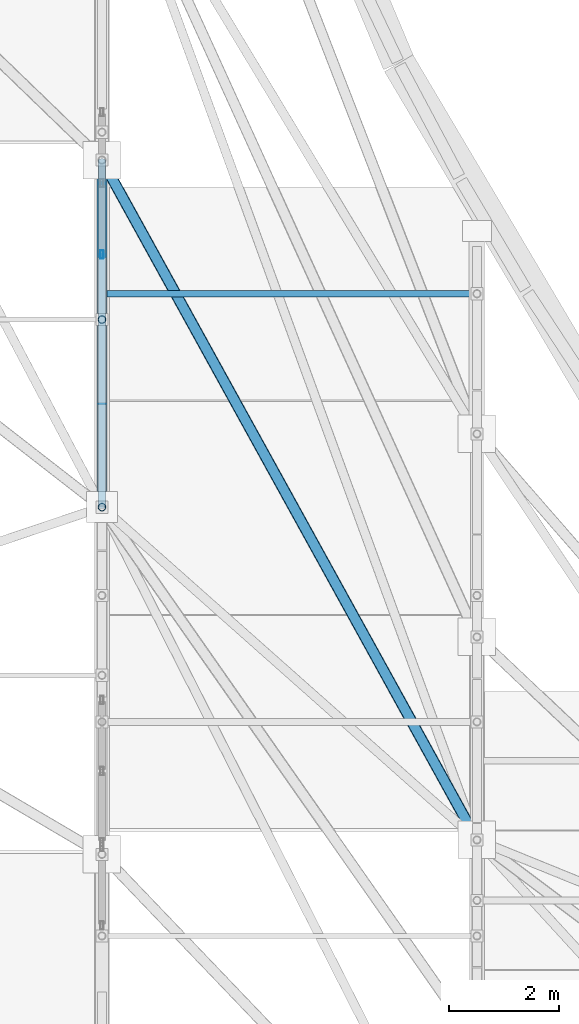
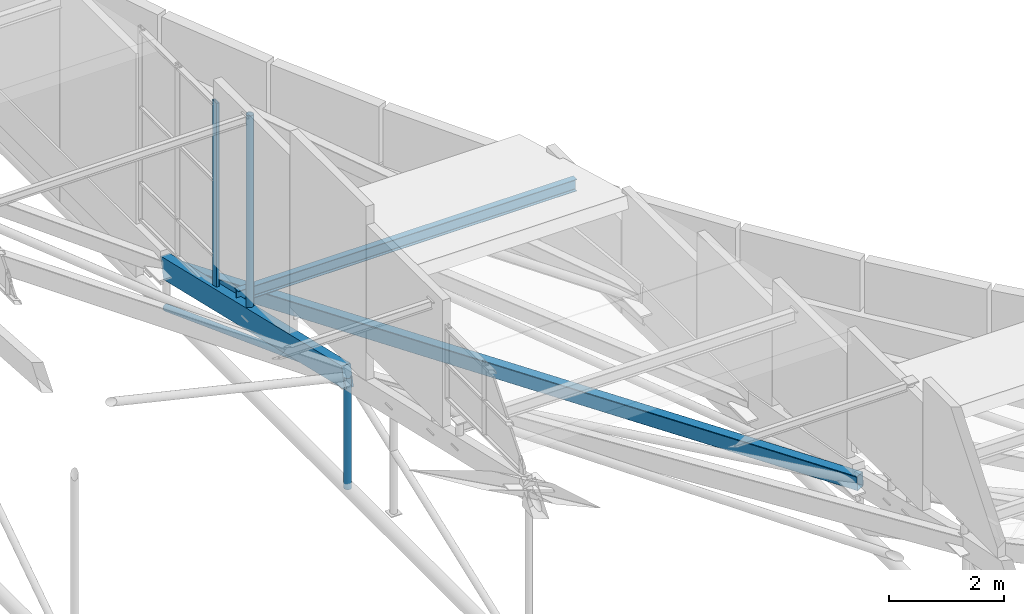
# One storey, part 27 of 188: 7 members, 1 element without a shape of its own.
"""IFC4 building model written with IfcOpenShell, lengths in metres."""

from ifc_helpers import new_model, si_unit, direction, frame, origin, origin_2d, place, context, subcontext, project, spatial, rectangle, hollow_rectangle, hollow_circle, i_section, extrude, material, layer, layer_set, material_profile, profile_set, type_object, element, aggregate, save


model = new_model("IFC4")

# Units and contexts
model_context = context("Model", 3, precision=1e-05, world=origin(), true_north=direction((0.0, 1.0)))
body_context = subcontext(model_context, "Body", "Model", "MODEL_VIEW")
ifc_project = project(units=[si_unit("LENGTHUNIT", "METRE"), si_unit("AREAUNIT", "SQUARE_METRE"), si_unit("VOLUMEUNIT", "CUBIC_METRE"), si_unit("PLANEANGLEUNIT", "RADIAN"), si_unit("MASSUNIT", "GRAM", prefix="KILO")], contexts=[model_context])

# Site, building, storey
site_placement = place(None, origin())
site = spatial("IfcSite", under=ifc_project, at=site_placement, CompositionType="ELEMENT")
building_placement = place(site_placement, origin())
building = spatial("IfcBuilding", under=site, at=building_placement, Name="Kisaragi Civic Commons", CompositionType="ELEMENT")
storey_placement = place(building_placement, frame((0.0, 0.0, 9.60009765625)))
storey = spatial("IfcBuildingStorey", under=building, at=storey_placement, Name="L02", CompositionType="ELEMENT", Elevation=9.60009765625)

# Curtain wall, member
ifc_material_1 = material(Name="Thermally broken anodized aluminium and low-E double glazing", Category="aluminium")
ifc_layer = layer(ifc_material_1, 0.14990234375, Name="Thermally broken anodized aluminium and low-E double glazing", Category="aluminium")
ifc_layer_set = layer_set([ifc_layer], Name="Thermally broken anodized aluminium and low-E double glazing")
curtain_wall_type = type_object("IfcCurtainWallType", Name="CW-03", PredefinedType="NOTDEFINED", material=ifc_layer_set)
curtain_wall_placement = place(storey_placement, origin())
curtain_wall = element("IfcCurtainWall", 1, at=curtain_wall_placement, inside=storey, type_object=curtain_wall_type, Name="L02 curtain wall CW-03 CW-CL-V1-169", PredefinedType="NOTDEFINED")
ifc_material_profile_1 = material_profile(ifc_material_1, hollow_rectangle(XDim=0.06005859375, YDim=0.14990234375, WallThickness=0.00390625, InnerFilletRadius=0.00390625, OuterFilletRadius=0.008056640625, at=origin_2d()), Name="CWM-60x150x4", Category="aluminium")
ifc_profile_set_1 = profile_set([ifc_material_profile_1], Name="Thermally broken anodized aluminium and low-E double glazing")
member_type_1 = type_object("IfcMemberType", Name="CWM-01", PredefinedType="MULLION", material=ifc_profile_set_1)
member_1_placement = place(storey_placement, frame((27.199951171875, 31.3828125, 0.84326171875), z_axis=(0.0, 0.0, 1.0), x_axis=(-1.0, 0.0, 0.0)))
member_1 = element("IfcMember", 2, at=member_1_placement, type_object=member_type_1, Name="CW-03 mullion 1", PredefinedType="MULLION", context=body_context, shape_type="SweptSolid", body=[
    extrude(hollow_rectangle(XDim=0.06005859375, YDim=0.14990234375, WallThickness=0.00390625, InnerFilletRadius=0.00390625, OuterFilletRadius=0.008056640625, at=origin_2d()), origin(), (0.0, 0.0, 1.0), 4.11865234375),
])
aggregate(curtain_wall, [member_1])

# Members
ifc_material_2 = material(Name="Steel SN490 (SN490B)", Category="steel")
ifc_material_profile_2 = material_profile(ifc_material_2, hollow_rectangle(XDim=0.199951171875, YDim=0.300048828125, WallThickness=0.009033203125, InnerFilletRadius=0.009033203125, OuterFilletRadius=0.01806640625, at=origin_2d()), Name="STKR-300x200x9", Category="steel")
ifc_profile_set_2 = profile_set([ifc_material_profile_2], Name="Steel SN490 (SN490B)")
member_type_2 = type_object("IfcMemberType", Name="GC-02", PredefinedType="CHORD", material=ifc_profile_set_2)
member_2_placement = place(storey_placement, frame((27.199951171875, 33.09521484375, 0.415771484375), z_axis=(0.482621042743, -0.875000804812, 0.03808570179), x_axis=(0.875636099408, 0.482971449895, 0.0)))
element("IfcMember", 3, at=member_2_placement, inside=storey, type_object=member_type_2, Name="V1 wave gridshell chord GC-02 33", PredefinedType="CHORD", context=body_context, shape_type="SweptSolid", body=[
    extrude(hollow_rectangle(XDim=0.199951171875, YDim=0.300048828125, WallThickness=0.009033203125, InnerFilletRadius=0.009033203125, OuterFilletRadius=0.01806640625, at=origin_2d()), origin(), (0.0, 0.0, 1.0), 14.08984375),
])
ifc_material_3 = material(Name="Glulam E120-F330", Category="wood")
ifc_material_profile_3 = material_profile(ifc_material_3, rectangle(XDim=0.179931640625, YDim=0.449951171875, at=origin_2d()), Name="GL-180x450", Category="wood")
ifc_profile_set_3 = profile_set([ifc_material_profile_3], Name="Glulam E120-F330")
member_type_3 = type_object("IfcMemberType", Name="GR-05", PredefinedType="RAFTER", material=ifc_profile_set_3)
member_3_placement = place(storey_placement, frame((27.199951171875, 26.800537109375, 1.898193359375), z_axis=(0.0, 0.973371598578, -0.229232918844), x_axis=(-1.0, 0.0, 0.0)))
element("IfcMember", 4, at=member_3_placement, inside=storey, type_object=member_type_3, Name="V1 glulam arch rib GR-05 37", PredefinedType="RAFTER", context=body_context, shape_type="SweptSolid", body=[
    extrude(rectangle(XDim=0.179931640625, YDim=0.449951171875, at=origin_2d()), origin(), (0.0, 0.0, 1.0), 6.466796875),
])
ifc_material_4 = material(Name="Steel SN400 (SN400B)", Category="steel")
ifc_material_profile_4 = material_profile(ifc_material_4, i_section(OverallWidth=0.125, OverallDepth=0.25, WebThickness=0.006103515625, FlangeThickness=0.009033203125, FilletRadius=0.008056640625, at=origin_2d()), Name="H-250x125x6x9", Category="steel")
ifc_profile_set_4 = profile_set([ifc_material_profile_4], Name="Steel SN400 (SN400B)")
member_type_4 = type_object("IfcMemberType", Name="PR-01", PredefinedType="PURLIN", material=ifc_profile_set_4)
member_4_placement = place(storey_placement, frame((27.199951171875, 30.670654296875, 1.2666015625), z_axis=(1.0, 0.0, 0.0), x_axis=(0.0, 1.0, 0.0)))
element("IfcMember", 5, at=member_4_placement, inside=storey, type_object=member_type_4, Name="V1 wave vault steel purlin 39", PredefinedType="PURLIN", context=body_context, shape_type="SweptSolid", body=[
    extrude(i_section(OverallWidth=0.125, OverallDepth=0.25, WebThickness=0.006103515625, FlangeThickness=0.009033203125, FilletRadius=0.008056640625, at=origin_2d()), origin(), (0.0, 0.0, 1.0), 6.800048828125),
])
ifc_material_profile_5 = material_profile(ifc_material_2, hollow_circle(Radius=0.06982421875, WallThickness=0.006103515625, at=origin_2d()), Name="CHS-139.8x6.0", Category="steel")
ifc_profile_set_5 = profile_set([ifc_material_profile_5], Name="Steel SN490 (SN490B)")
member_type_5 = type_object("IfcMemberType", Name="ST-H1", PredefinedType="STRUT", material=ifc_profile_set_5)
member_5_placement = place(storey_placement, frame((27.199951171875, 26.800537109375, -0.458984375), z_axis=(0.0, 0.0, 1.0), x_axis=(1.0, 0.0, 0.0)))
element("IfcMember", 6, at=member_5_placement, inside=storey, type_object=member_type_5, Name="V1 arch tie hanger strut 59", PredefinedType="STRUT", context=body_context, shape_type="SweptSolid", body=[
    extrude(hollow_circle(Radius=0.06982421875, WallThickness=0.006103515625, at=origin_2d()), origin(), (0.0, 0.0, 1.0), 2.357177734375),
])
member_6_placement = place(storey_placement, frame((27.199951171875, 33.09521484375, -0.458984375), z_axis=(0.0, -0.93649177999, 0.350689529372), x_axis=(1.0, 0.0, 0.0)))
element("IfcMember", 7, at=member_6_placement, inside=storey, type_object=member_type_5, Name="V1 tied arch truss diagonal web strut 66", PredefinedType="STRUT", context=body_context, shape_type="SweptSolid", body=[
    extrude(hollow_circle(Radius=0.06982421875, WallThickness=0.006103515625, at=origin_2d()), origin(), (0.0, 0.0, 1.0), 6.721435546875),
])
member_7_placement = place(storey_placement, frame((27.199951171875, 30.202880859375, 1.096923828125), z_axis=(0.0, 0.0, 1.0), x_axis=(1.0, 0.0, 0.0)))
element("IfcMember", 8, at=member_7_placement, inside=storey, type_object=member_type_5, Name="V1 clerestory monitor horizontal tie strut 4.4.5", PredefinedType="STRUT", context=body_context, shape_type="SweptSolid", body=[
    extrude(hollow_circle(Radius=0.06982421875, WallThickness=0.006103515625, at=origin_2d()), origin(), (0.0, 0.0, 1.0), 4.30859375),
])

save(model, "model.ifc")
